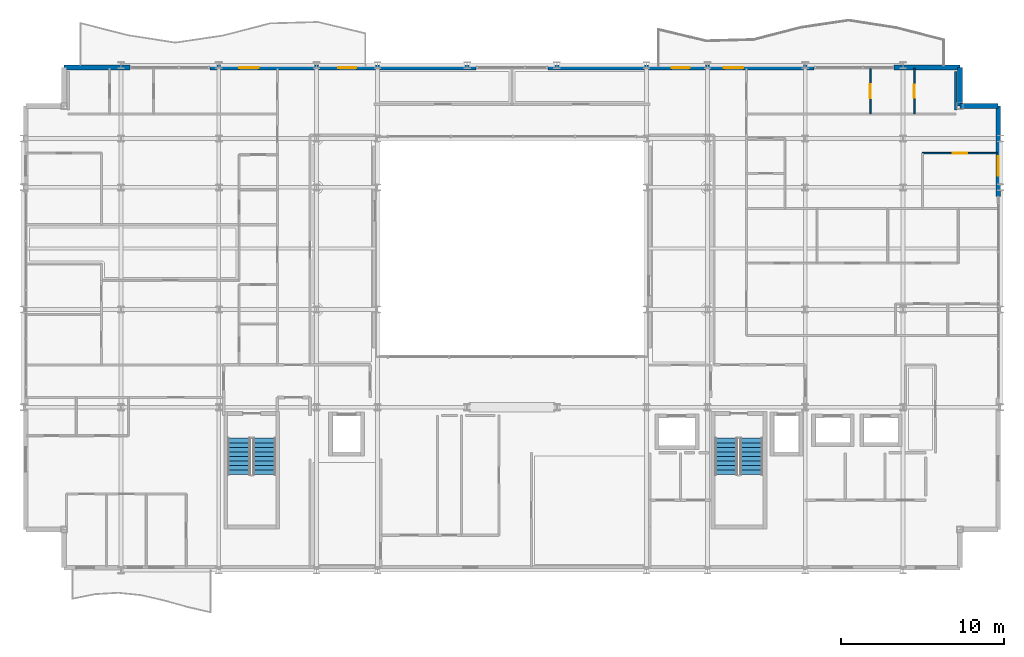
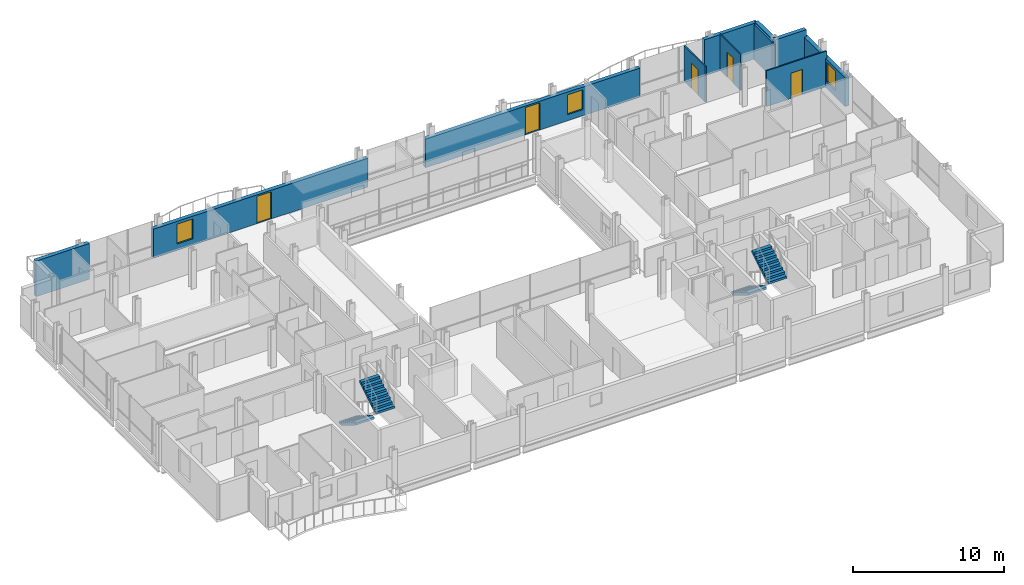
# One storey, part 38 of 41: 11 walls, 5 doors, 4 stair flights, 3 windows, 8 openings, 2 elements without a shape of their own.
"""IFC4 building model written with IfcOpenShell, lengths in metres."""

from ifc_helpers import new_model, si_unit, direction, frame, frame_2d, origin, place, context, subcontext, project, spatial, polyline, rectangle, outline, extrude, material, layer, layer_set, type_object, element, fill, aggregate, save


model = new_model("IFC4")

# Units and contexts
model_context = context("Model", 3, precision=1e-05, world=origin(), true_north=direction((0.0, 1.0)))
body_context = subcontext(model_context, "Body", "Model", "MODEL_VIEW")
ifc_project = project(units=[si_unit("LENGTHUNIT", "METRE"), si_unit("AREAUNIT", "SQUARE_METRE"), si_unit("VOLUMEUNIT", "CUBIC_METRE"), si_unit("PLANEANGLEUNIT", "RADIAN"), si_unit("MASSUNIT", "GRAM", prefix="KILO")], contexts=[model_context])

# Site, building, storey
site_placement = place(None, origin())
site = spatial("IfcSite", under=ifc_project, at=site_placement, CompositionType="ELEMENT")
building_placement = place(site_placement, origin())
building = spatial("IfcBuilding", under=site, at=building_placement, Name="Brevholm Reach", CompositionType="ELEMENT")
storey_placement = place(building_placement, frame((0.0, 0.0, 157.300048828125)))
storey = spatial("IfcBuildingStorey", under=building, at=storey_placement, Name="L47", CompositionType="ELEMENT", Elevation=157.300048828125)

# Walls
ifc_material_1 = material(Name="Concrete C40/50", Category="concrete")
ifc_layer_1 = layer(ifc_material_1, 0.300048828125)
ifc_layer_set_1 = layer_set([ifc_layer_1], Name="Concrete C40/50")
wall_type_1 = type_object("IfcWallType", Name="WAL-EXT-300", PredefinedType="STANDARD", material=ifc_layer_set_1)
for number, where, z_axis, x_axis, name in (
    (1, (59.85009765625, 28.5, 0.0), (0.0, 0.0, 1.0), (-1.0, 0.0, 0.0), "L47 Facade Wall WAL-L47-CNE1"),
    (2, (57.5, 28.5, 0.0), (0.0, 0.0, 1.0), (0.0, 1.0, 0.0), "L47 Facade Wall WAL-L47-CNE2"),
):
    element("IfcWall", number, at=place(storey_placement, frame(where, z_axis=z_axis, x_axis=x_axis)), inside=storey, type_object=wall_type_1, Name=name, PredefinedType="STANDARD", context=body_context, shape_type="SweptSolid", body=[
        extrude(rectangle(XDim=2.35009765625, YDim=0.300048828125, at=frame_2d((1.175048828125, 0.0))), origin(), (0.0, 0.0, 1.0), 2.8798828125),
    ])

# Wall, opening, window
wall_1_placement = place(storey_placement, frame((59.85009765625, 22.949951171875, 0.0), z_axis=(0.0, 0.0, 1.0), x_axis=(0.0, 1.0, 0.0)))
wall_1 = element("IfcWall", 3, at=wall_1_placement, inside=storey, type_object=wall_type_1, Name="L47 Facade Wall WAL-L47-E-N", PredefinedType="STANDARD", context=body_context, shape_type="SweptSolid", body=[
    extrude(rectangle(XDim=5.550048828125, YDim=0.300048828125, at=frame_2d((2.77490234375, 0.0))), origin(), (0.0, 0.0, 1.0), 2.32177734375),
])
opening_1_placement = place(wall_1_placement, frame((1.27001953125, 0.0, 0.501953125)))
opening_1 = element("IfcOpeningElement", 4, at=opening_1_placement, cuts=wall_1, Name="Opening WN-08", PredefinedType="OPENING", context=body_context, shape_type="SweptSolid", body=[
    extrude(rectangle(XDim=1.199951171875, YDim=1.60009765625, at=frame_2d((0.60009765625, 0.800048828125))), frame((0.0, 0.159912109375, 0.0), z_axis=(0.0, -1.0, 0.0), x_axis=(1.0, 0.0, 0.0)), (0.0, 0.0, 1.0), 0.320068359375),
])
ifc_material_2 = material(Name="Dark Anodised Aluminium and Solar-Control IGU Glass", Category="aluminium")
window_type = type_object("IfcWindowType", Name="WIN-RES-1200", PartitioningType="SINGLE_PANEL", PredefinedType="WINDOW", material=ifc_material_2)
window_1_placement = place(opening_1_placement, origin())
window_1 = element("IfcWindow", 5, at=window_1_placement, inside=storey, type_object=window_type, Name="L47 Window WIN-L47-EN-1", OverallHeight=1.60009765625, OverallWidth=1.199951171875, PartitioningType="SINGLE_PANEL", PredefinedType="WINDOW", context=body_context, shape_type="SweptSolid", body=[
    extrude(rectangle(XDim=1.199951171875, YDim=1.60009765625, at=frame_2d((0.60009765625, 0.800048828125))), frame((0.0, 0.030029296875, 0.0), z_axis=(0.0, -1.0, 0.0), x_axis=(1.0, 0.0, 0.0)), (0.0, 0.0, 1.0), 0.06005859375),
])
fill(opening_1, window_1)

# Walls
for number, where, z_axis, x_axis, name in (
    (6, (2.5, 30.85009765625, 0.0), (0.0, 0.0, 1.0), (1.0, 0.0, 0.0), "L47 Facade Wall WAL-L47-NP-W0"),
    (7, (53.449951171875, 30.85009765625, 0.0), (0.0, 0.0, 1.0), (1.0, 0.0, 0.0), "L47 Facade Wall WAL-L47-NP-E0"),
):
    element("IfcWall", number, at=place(storey_placement, frame(where, z_axis=z_axis, x_axis=x_axis)), inside=storey, type_object=wall_type_1, Name=name, PredefinedType="STANDARD", context=body_context, shape_type="SweptSolid", body=[
        extrude(rectangle(XDim=4.050048828125, YDim=0.300048828125, at=frame_2d((2.02490234375, 0.0))), origin(), (0.0, 0.0, 1.0), 2.8798828125),
    ])

# Wall, openings, door, window
wall_2_placement = place(storey_placement, frame((11.449951171875, 30.85009765625, 0.0), z_axis=(0.0, 0.0, 1.0), x_axis=(1.0, 0.0, 0.0)))
wall_2 = element("IfcWall", 8, at=wall_2_placement, inside=storey, type_object=wall_type_1, Name="L47 Facade Wall WAL-L47-NP-WL", PredefinedType="STANDARD", context=body_context, shape_type="SweptSolid", body=[
    extrude(rectangle(XDim=16.35009765625, YDim=0.300048828125, at=frame_2d((8.175048828125, 0.0))), origin(), (0.0, 0.0, 1.0), 2.32177734375),
])
opening_2_placement = place(wall_2_placement, frame((7.89794921875, 0.0, 0.0)))
opening_2 = element("IfcOpeningElement", 9, at=opening_2_placement, cuts=wall_2, Name="Opening BD-01", PredefinedType="OPENING", context=body_context, shape_type="SweptSolid", body=[
    extrude(rectangle(XDim=1.10009765625, YDim=2.199951171875, at=frame_2d((0.550048828125, 1.10009765625))), frame((0.0, 0.159912109375, 0.0), z_axis=(0.0, -1.0, 0.0), x_axis=(1.0, 0.0, 0.0)), (0.0, 0.0, 1.0), 0.320068359375),
])
opening_3_placement = place(wall_2_placement, frame((1.800048828125, 0.0, 0.501953125)))
opening_3 = element("IfcOpeningElement", 10, at=opening_3_placement, cuts=wall_2, Name="Opening WN-08", PredefinedType="OPENING", context=body_context, shape_type="SweptSolid", body=[
    extrude(rectangle(XDim=1.199951171875, YDim=1.60009765625, at=frame_2d((0.60009765625, 0.800048828125))), frame((0.0, 0.159912109375, 0.0), z_axis=(0.0, -1.0, 0.0), x_axis=(1.0, 0.0, 0.0)), (0.0, 0.0, 1.0), 0.320068359375),
])
ifc_material_3 = material(Name="Dark Anodised Aluminium and Triple-Glazed Glass", Category="aluminium")
door_type_1 = type_object("IfcDoorType", Name="DOR-BALC-1100", OperationType="NOTDEFINED", PredefinedType="DOOR", material=ifc_material_3)
door_1_placement = place(opening_2_placement, origin())
door_1 = element("IfcDoor", 11, at=door_1_placement, inside=storey, type_object=door_type_1, Name="L47 Exterior Door DOR-L47-BL-NW", OperationType="SINGLE_SWING_LEFT", OverallHeight=2.199951171875, OverallWidth=1.10009765625, PredefinedType="DOOR", context=body_context, shape_type="SweptSolid", body=[
    extrude(rectangle(XDim=1.10009765625, YDim=2.199951171875, at=frame_2d((0.550048828125, 1.10009765625))), frame((0.0, 0.02490234375, 0.0), z_axis=(0.0, -1.0, 0.0), x_axis=(1.0, 0.0, 0.0)), (0.0, 0.0, 1.0), 0.050048828125),
])
fill(opening_2, door_1)
window_2_placement = place(opening_3_placement, origin())
window_2 = element("IfcWindow", 12, at=window_2_placement, inside=storey, type_object=window_type, Name="L47 Window WIN-L47-NP-WL1", OverallHeight=1.60009765625, OverallWidth=1.199951171875, PartitioningType="SINGLE_PANEL", PredefinedType="WINDOW", context=body_context, shape_type="SweptSolid", body=[
    extrude(rectangle(XDim=1.199951171875, YDim=1.60009765625, at=frame_2d((0.60009765625, 0.800048828125))), frame((0.0, 0.030029296875, 0.0), z_axis=(0.0, -1.0, 0.0), x_axis=(1.0, 0.0, 0.0)), (0.0, 0.0, 1.0), 0.06005859375),
])
fill(opening_3, window_2)

wall_3_placement = place(storey_placement, frame((32.199951171875, 30.85009765625, 0.0), z_axis=(0.0, 0.0, 1.0), x_axis=(1.0, 0.0, 0.0)))
wall_3 = element("IfcWall", 13, at=wall_3_placement, inside=storey, type_object=wall_type_1, Name="L47 Facade Wall WAL-L47-NP-ER", PredefinedType="STANDARD", context=body_context, shape_type="SweptSolid", body=[
    extrude(rectangle(XDim=16.35009765625, YDim=0.300048828125, at=frame_2d((8.175048828125, 0.0))), origin(), (0.0, 0.0, 1.0), 2.32177734375),
])
opening_4_placement = place(wall_3_placement, frame((7.60009765625, 0.0, 0.0)))
opening_4 = element("IfcOpeningElement", 14, at=opening_4_placement, cuts=wall_3, Name="Opening BD-01", PredefinedType="OPENING", context=body_context, shape_type="SweptSolid", body=[
    extrude(rectangle(XDim=1.10009765625, YDim=2.199951171875, at=frame_2d((0.550048828125, 1.10009765625))), frame((0.0, 0.159912109375, 0.0), z_axis=(0.0, -1.0, 0.0), x_axis=(1.0, 0.0, 0.0)), (0.0, 0.0, 1.0), 0.320068359375),
])
opening_5_placement = place(wall_3_placement, frame((10.800048828125, 0.0, 0.501953125)))
opening_5 = element("IfcOpeningElement", 15, at=opening_5_placement, cuts=wall_3, Name="Opening WN-08", PredefinedType="OPENING", context=body_context, shape_type="SweptSolid", body=[
    extrude(rectangle(XDim=1.199951171875, YDim=1.60009765625, at=frame_2d((0.60009765625, 0.800048828125))), frame((0.0, 0.159912109375, 0.0), z_axis=(0.0, -1.0, 0.0), x_axis=(1.0, 0.0, 0.0)), (0.0, 0.0, 1.0), 0.320068359375),
])
door_2_placement = place(opening_4_placement, origin())
door_2 = element("IfcDoor", 16, at=door_2_placement, inside=storey, type_object=door_type_1, Name="L47 Exterior Door DOR-L47-BL-NE", OperationType="SINGLE_SWING_RIGHT", OverallHeight=2.199951171875, OverallWidth=1.10009765625, PredefinedType="DOOR", context=body_context, shape_type="SweptSolid", body=[
    extrude(rectangle(XDim=1.10009765625, YDim=2.199951171875, at=frame_2d((0.550048828125, 1.10009765625))), frame((0.0, 0.02490234375, 0.0), z_axis=(0.0, -1.0, 0.0), x_axis=(1.0, 0.0, 0.0)), (0.0, 0.0, 1.0), 0.050048828125),
])
fill(opening_4, door_2)
window_3_placement = place(opening_5_placement, origin())
window_3 = element("IfcWindow", 17, at=window_3_placement, inside=storey, type_object=window_type, Name="L47 Window WIN-L47-NP-ER1", OverallHeight=1.60009765625, OverallWidth=1.199951171875, PartitioningType="SINGLE_PANEL", PredefinedType="WINDOW", context=body_context, shape_type="SweptSolid", body=[
    extrude(rectangle(XDim=1.199951171875, YDim=1.60009765625, at=frame_2d((0.60009765625, 0.800048828125))), frame((0.0, 0.030029296875, 0.0), z_axis=(0.0, -1.0, 0.0), x_axis=(1.0, 0.0, 0.0)), (0.0, 0.0, 1.0), 0.06005859375),
])
fill(opening_5, window_3)

# Wall, opening, door
ifc_material_4 = material(Name="Moisture-Resistant Acoustic Gypsum Stud Partition 100 mm", Category="gypsum")
ifc_layer_2 = layer(ifc_material_4, 0.10009765625)
ifc_layer_set_2 = layer_set([ifc_layer_2], Name="Moisture-Resistant Acoustic Gypsum Stud Partition 100 mm")
wall_type_2 = type_object("IfcWallType", Name="WAL-PRT-100", PredefinedType="PARTITIONING", material=ifc_layer_set_2)
wall_4_placement = place(storey_placement, frame((55.199951171875, 25.60009765625, 0.0), z_axis=(0.0, 0.0, 1.0), x_axis=(1.0, 0.0, 0.0)))
wall_4 = element("IfcWall", 18, at=wall_4_placement, inside=storey, type_object=wall_type_2, Name="L47 Internal Partition 122", PredefinedType="PARTITIONING", context=body_context, shape_type="SweptSolid", body=[
    extrude(rectangle(XDim=4.60009765625, YDim=0.10009765625, at=frame_2d((2.300048828125, 0.0))), origin(), (0.0, 0.0, 1.0), 2.8798828125),
])
opening_6_placement = place(wall_4_placement, frame((1.860107421875, 0.0, 0.0)))
opening_6 = element("IfcOpeningElement", 19, at=opening_6_placement, cuts=wall_4, Name="Opening ID-01", PredefinedType="OPENING", context=body_context, shape_type="SweptSolid", body=[
    extrude(rectangle(XDim=0.8798828125, YDim=2.0400390625, at=frame_2d((0.43994140625, 1.02001953125))), frame((0.0, 0.06005859375, 0.0), z_axis=(0.0, -1.0, 0.0), x_axis=(1.0, 0.0, 0.0)), (0.0, 0.0, 1.0), 0.1201171875),
])
ifc_material_5 = material(Name="Lacquered Ash Solid-Core Acoustic Internal Door", Category="timber")
door_type_2 = type_object("IfcDoorType", Name="DOR-INT-880", OperationType="NOTDEFINED", PredefinedType="DOOR", material=ifc_material_5)
door_3_placement = place(opening_6_placement, origin())
door_3 = element("IfcDoor", 20, at=door_3_placement, inside=storey, type_object=door_type_2, Name="L47 Internal Door 050", OperationType="SINGLE_SWING_RIGHT", OverallHeight=2.0400390625, OverallWidth=0.8798828125, PredefinedType="DOOR", context=body_context, shape_type="SweptSolid", body=[
    extrude(rectangle(XDim=0.8798828125, YDim=2.0400390625, at=frame_2d((0.43994140625, 1.02001953125))), frame((0.0, 0.02490234375, 0.0), z_axis=(0.0, -1.0, 0.0), x_axis=(1.0, 0.0, 0.0)), (0.0, 0.0, 1.0), 0.050048828125),
])
fill(opening_6, door_3)

wall_5_placement = place(storey_placement, frame((54.699951171875, 28.00390625, 0.0), z_axis=(0.0, 0.0, 1.0), x_axis=(0.0, 1.0, 0.0)))
wall_5 = element("IfcWall", 21, at=wall_5_placement, inside=storey, type_object=wall_type_2, Name="L47 Internal Partition 130", PredefinedType="PARTITIONING", context=body_context, shape_type="SweptSolid", body=[
    extrude(rectangle(XDim=2.796142578125, YDim=0.10009765625, at=frame_2d((1.39794921875, 0.0))), origin(), (0.0, 0.0, 1.0), 2.8798828125),
])
opening_7_placement = place(wall_5_placement, frame((0.988037109375, 0.0, 0.0)))
opening_7 = element("IfcOpeningElement", 22, at=opening_7_placement, cuts=wall_5, Name="Opening ID-03", PredefinedType="OPENING", context=body_context, shape_type="SweptSolid", body=[
    extrude(rectangle(XDim=0.820068359375, YDim=2.02001953125, at=frame_2d((0.41015625, 1.010009765625))), frame((0.0, 0.06005859375, 0.0), z_axis=(0.0, -1.0, 0.0), x_axis=(1.0, 0.0, 0.0)), (0.0, 0.0, 1.0), 0.1201171875),
])
ifc_material_6 = material(Name="Moisture-Resistant Painted Timber Internal Bathroom Door", Category="wood")
door_type_3 = type_object("IfcDoorType", Name="DOR-BATH-820", OperationType="NOTDEFINED", PredefinedType="DOOR", material=ifc_material_6)
door_4_placement = place(opening_7_placement, origin())
door_4 = element("IfcDoor", 23, at=door_4_placement, inside=storey, type_object=door_type_3, Name="L47 Access Door 055", OperationType="SINGLE_SWING_LEFT", OverallHeight=2.02001953125, OverallWidth=0.820068359375, PredefinedType="DOOR", context=body_context, shape_type="SweptSolid", body=[
    extrude(rectangle(XDim=0.820068359375, YDim=2.02001953125, at=frame_2d((0.41015625, 1.010009765625))), frame((0.0, 0.02490234375, 0.0), z_axis=(0.0, -1.0, 0.0), x_axis=(1.0, 0.0, 0.0)), (0.0, 0.0, 1.0), 0.050048828125),
])
fill(opening_7, door_4)

wall_6_placement = place(storey_placement, frame((52.0, 28.00390625, 0.0), z_axis=(0.0, 0.0, 1.0), x_axis=(0.0, 1.0, 0.0)))
wall_6 = element("IfcWall", 24, at=wall_6_placement, inside=storey, type_object=wall_type_2, Name="L47 Internal Partition 131", PredefinedType="PARTITIONING", context=body_context, shape_type="SweptSolid", body=[
    extrude(rectangle(XDim=2.796142578125, YDim=0.10009765625, at=frame_2d((1.39794921875, 0.0))), origin(), (0.0, 0.0, 1.0), 2.8798828125),
])
opening_8_placement = place(wall_6_placement, frame((0.9580078125, 0.0, 0.0)))
opening_8 = element("IfcOpeningElement", 25, at=opening_8_placement, cuts=wall_6, Name="Opening ID-01", PredefinedType="OPENING", context=body_context, shape_type="SweptSolid", body=[
    extrude(rectangle(XDim=0.8798828125, YDim=2.0400390625, at=frame_2d((0.43994140625, 1.02001953125))), frame((0.0, 0.06005859375, 0.0), z_axis=(0.0, -1.0, 0.0), x_axis=(1.0, 0.0, 0.0)), (0.0, 0.0, 1.0), 0.1201171875),
])
door_5_placement = place(opening_8_placement, origin())
door_5 = element("IfcDoor", 26, at=door_5_placement, inside=storey, type_object=door_type_2, Name="L47 Internal Door 052", OperationType="SINGLE_SWING_RIGHT", OverallHeight=2.0400390625, OverallWidth=0.8798828125, PredefinedType="DOOR", context=body_context, shape_type="SweptSolid", body=[
    extrude(rectangle(XDim=0.8798828125, YDim=2.0400390625, at=frame_2d((0.43994140625, 1.02001953125))), frame((0.0, 0.02490234375, 0.0), z_axis=(0.0, -1.0, 0.0), x_axis=(1.0, 0.0, 0.0)), (0.0, 0.0, 1.0), 0.050048828125),
])
fill(opening_8, door_5)

# Wall
ifc_material_7 = material(Name="Twin-Stud Acoustic Fire-Rated Gypsum Partition 140 mm", Category="gypsum")
ifc_layer_3 = layer(ifc_material_7, 0.139892578125)
ifc_layer_set_3 = layer_set([ifc_layer_3], Name="Twin-Stud Acoustic Fire-Rated Gypsum Partition 140 mm")
wall_type_3 = type_object("IfcWallType", Name="WAL-PRT-140", PredefinedType="PARTITIONING", material=ifc_layer_set_3)
wall_7_placement = place(storey_placement, frame((57.25, 28.239990234375, 0.0), z_axis=(0.0, 0.0, 1.0), x_axis=(0.0, 1.0, 0.0)))
element("IfcWall", 27, at=wall_7_placement, inside=storey, type_object=wall_type_3, Name="L47 Internal Partition 140", PredefinedType="PARTITIONING", context=body_context, shape_type="SweptSolid", body=[
    extrude(rectangle(XDim=2.3701171875, YDim=0.139892578125, at=frame_2d((1.18505859375, 0.0))), origin(), (0.0, 0.0, 1.0), 2.8798828125),
])

# Stair, stair flights
ifc_material_8 = material(Name="Precast Concrete C40/50", Category="concrete")
stair_type = type_object("IfcStairType", Name="STR-ESC-1400", PredefinedType="DOUBLE_RETURN_STAIR", material=ifc_material_8)
stair_1_placement = place(storey_placement, origin())
stair_1 = element("IfcStair", 28, at=stair_1_placement, inside=storey, type_object=stair_type, Name="L47 ST-1", PredefinedType="DOUBLE_RETURN_STAIR")
ifc_material_9 = material(Name="Precast Concrete C40/50", Category="concrete")
ifc_layer_4 = layer(ifc_material_9, 0.18505859375)
ifc_layer_set_4 = layer_set([ifc_layer_4], Name="Precast Concrete C40/50")
stair_flight_type = type_object("IfcStairFlightType", Name="STF-PRC-185", PredefinedType="STRAIGHT", material=ifc_layer_set_4)
stair_flight_1_placement = place(storey_placement, frame((13.25, 8.10009765625, 0.0), z_axis=(0.0, 0.0, 1.0), x_axis=(0.0, -1.0, 0.0)))
stair_flight_1 = element("IfcStairFlight", 29, at=stair_flight_1_placement, type_object=stair_flight_type, Name="ST-1 flight 1", NumberOfRisers=9, NumberOfTreads=8, PredefinedType="STRAIGHT", RiserHeight=0.172222222, TreadLength=0.28, context=body_context, shape_type="SweptSolid", body=[
    extrude(outline(polyline([(0.0, 0.0), (0.0, 0.172119140625), (0.280029296875, 0.172119140625), (0.280029296875, 0.344482421875), (0.56005859375, 0.344482421875), (0.56005859375, 0.5166015625), (0.840087890625, 0.5166015625), (0.840087890625, 0.68896484375), (1.1201171875, 0.68896484375), (1.1201171875, 0.861083984375), (1.39990234375, 0.861083984375), (1.39990234375, 1.033447265625), (1.679931640625, 1.033447265625), (1.679931640625, 1.20556640625), (1.9599609375, 1.20556640625), (1.9599609375, 1.377685546875), (2.239990234375, 1.377685546875), (2.239990234375, 1.550048828125), (2.239990234375, 1.201904296875), (0.2861328125, 0.0), (0.0, 0.0)])), frame((0.0, 0.699951171875, 0.0), z_axis=(0.0, -1.0, 0.0), x_axis=(1.0, 0.0, 0.0)), (0.0, 0.0, 1.0), 1.39990234375),
])
stair_flight_2_placement = place(storey_placement, frame((14.800048828125, 5.860107421875, 1.550048828125), z_axis=(0.0, 0.0, 1.0), x_axis=(0.0, 1.0, 0.0)))
stair_flight_2 = element("IfcStairFlight", 30, at=stair_flight_2_placement, type_object=stair_flight_type, Name="ST-1 flight 2", NumberOfRisers=9, NumberOfTreads=8, PredefinedType="STRAIGHT", RiserHeight=0.172222222, TreadLength=0.28, context=body_context, shape_type="SweptSolid", body=[
    extrude(outline(polyline([(0.0, 0.0), (0.0, 0.172119140625), (0.280029296875, 0.172119140625), (0.280029296875, 0.344482421875), (0.56005859375, 0.344482421875), (0.56005859375, 0.5166015625), (0.840087890625, 0.5166015625), (0.840087890625, 0.68896484375), (1.1201171875, 0.68896484375), (1.1201171875, 0.861083984375), (1.39990234375, 0.861083984375), (1.39990234375, 1.033447265625), (1.679931640625, 1.033447265625), (1.679931640625, 1.20556640625), (1.9599609375, 1.20556640625), (1.9599609375, 1.377685546875), (2.239990234375, 1.377685546875), (2.239990234375, 1.550048828125), (2.239990234375, 1.201904296875), (0.2861328125, 0.0), (0.0, 0.0)])), frame((0.0, 0.699951171875, 0.0), z_axis=(0.0, -1.0, 0.0), x_axis=(1.0, 0.0, 0.0)), (0.0, 0.0, 1.0), 1.39990234375),
])
aggregate(stair_1, [stair_flight_1, stair_flight_2])

stair_2_placement = place(storey_placement, origin())
stair_2 = element("IfcStair", 31, at=stair_2_placement, inside=storey, type_object=stair_type, Name="L47 ST-2", PredefinedType="DOUBLE_RETURN_STAIR")
stair_flight_3_placement = place(storey_placement, frame((43.14990234375, 8.10009765625, 0.0), z_axis=(0.0, 0.0, 1.0), x_axis=(0.0, -1.0, 0.0)))
stair_flight_3 = element("IfcStairFlight", 32, at=stair_flight_3_placement, type_object=stair_flight_type, Name="ST-2 flight 1", NumberOfRisers=9, NumberOfTreads=8, PredefinedType="STRAIGHT", RiserHeight=0.172222222, TreadLength=0.28, context=body_context, shape_type="SweptSolid", body=[
    extrude(outline(polyline([(0.0, 0.0), (0.0, 0.172119140625), (0.280029296875, 0.172119140625), (0.280029296875, 0.344482421875), (0.56005859375, 0.344482421875), (0.56005859375, 0.5166015625), (0.840087890625, 0.5166015625), (0.840087890625, 0.68896484375), (1.1201171875, 0.68896484375), (1.1201171875, 0.861083984375), (1.39990234375, 0.861083984375), (1.39990234375, 1.033447265625), (1.679931640625, 1.033447265625), (1.679931640625, 1.20556640625), (1.9599609375, 1.20556640625), (1.9599609375, 1.377685546875), (2.239990234375, 1.377685546875), (2.239990234375, 1.550048828125), (2.239990234375, 1.201904296875), (0.2861328125, 0.0), (0.0, 0.0)])), frame((0.0, 0.699951171875, 0.0), z_axis=(0.0, -1.0, 0.0), x_axis=(1.0, 0.0, 0.0)), (0.0, 0.0, 1.0), 1.39990234375),
])
stair_flight_4_placement = place(storey_placement, frame((44.699951171875, 5.860107421875, 1.550048828125), z_axis=(0.0, 0.0, 1.0), x_axis=(0.0, 1.0, 0.0)))
stair_flight_4 = element("IfcStairFlight", 33, at=stair_flight_4_placement, type_object=stair_flight_type, Name="ST-2 flight 2", NumberOfRisers=9, NumberOfTreads=8, PredefinedType="STRAIGHT", RiserHeight=0.172222222, TreadLength=0.28, context=body_context, shape_type="SweptSolid", body=[
    extrude(outline(polyline([(0.0, 0.0), (0.0, 0.172119140625), (0.280029296875, 0.172119140625), (0.280029296875, 0.344482421875), (0.56005859375, 0.344482421875), (0.56005859375, 0.5166015625), (0.840087890625, 0.5166015625), (0.840087890625, 0.68896484375), (1.1201171875, 0.68896484375), (1.1201171875, 0.861083984375), (1.39990234375, 0.861083984375), (1.39990234375, 1.033447265625), (1.679931640625, 1.033447265625), (1.679931640625, 1.20556640625), (1.9599609375, 1.20556640625), (1.9599609375, 1.377685546875), (2.239990234375, 1.377685546875), (2.239990234375, 1.550048828125), (2.239990234375, 1.201904296875), (0.2861328125, 0.0), (0.0, 0.0)])), frame((0.0, 0.699951171875, 0.0), z_axis=(0.0, -1.0, 0.0), x_axis=(1.0, 0.0, 0.0)), (0.0, 0.0, 1.0), 1.39990234375),
])
aggregate(stair_2, [stair_flight_3, stair_flight_4])

save(model, "model.ifc")
